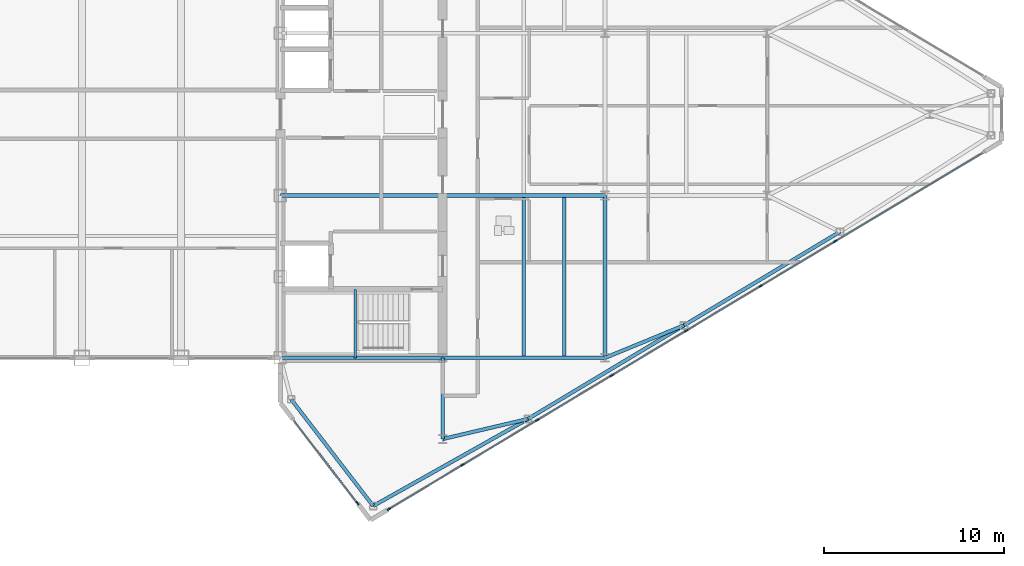
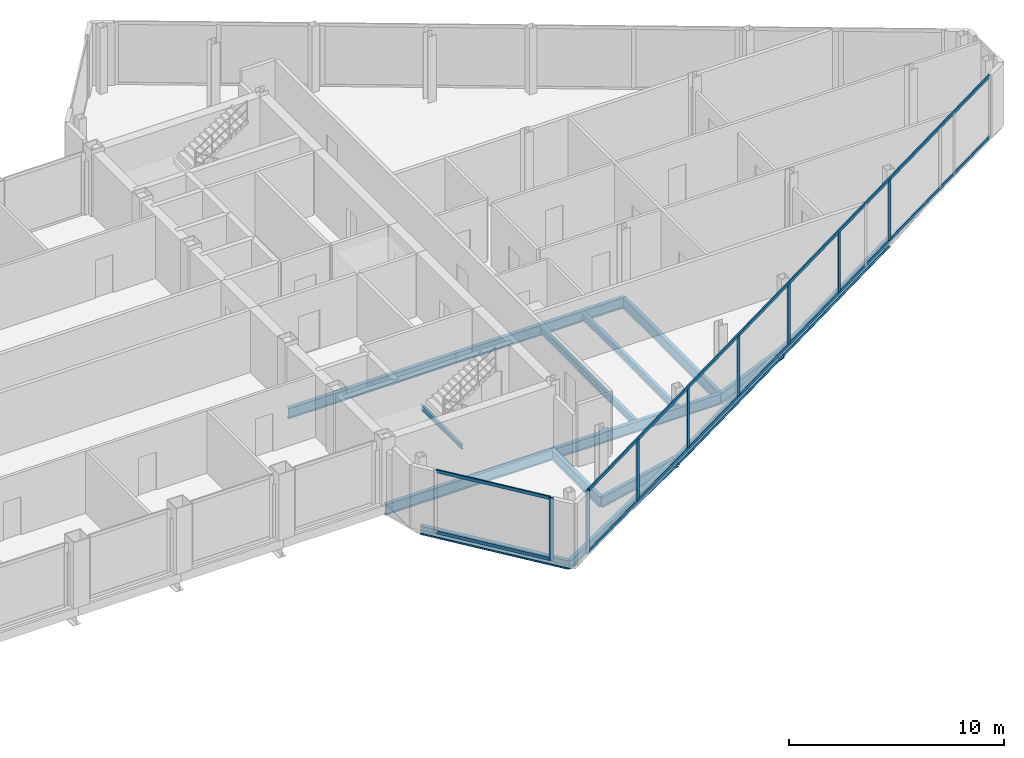
# One storey, part 14 of 29: 15 beams, 12 members, 2 elements without a shape of their own.
"""IFC4 building model written with IfcOpenShell, lengths in metres."""

from ifc_helpers import new_model, si_unit, direction, frame, origin, origin_2d, place, context, subcontext, project, spatial, rectangle, i_section, extrude, source, transform, mapped, material, layer, layer_set, material_profile, profile_set, type_object, type_shapes, element, aggregate, save


model = new_model("IFC4")

# Units and contexts
model_context = context("Model", 3, precision=1e-05, world=origin(), true_north=direction((0.0, 1.0)))
body_context = subcontext(model_context, "Body", "Model", "MODEL_VIEW")
ifc_project = project(units=[si_unit("LENGTHUNIT", "METRE"), si_unit("AREAUNIT", "SQUARE_METRE"), si_unit("VOLUMEUNIT", "CUBIC_METRE"), si_unit("PLANEANGLEUNIT", "RADIAN"), si_unit("MASSUNIT", "GRAM", prefix="KILO")], contexts=[model_context])

# Site, building, storey
site_placement = place(None, origin())
site = spatial("IfcSite", under=ifc_project, at=site_placement, CompositionType="ELEMENT")
building_placement = place(site_placement, origin())
building = spatial("IfcBuilding", under=site, at=building_placement, Name="Seokmaru Belvedere", CompositionType="ELEMENT")
storey_placement = place(building_placement, frame((0.0, 0.0, 246.89990234375)))
storey = spatial("IfcBuildingStorey", under=building, at=storey_placement, Name="L65", CompositionType="ELEMENT", Elevation=246.89990234375)

# Beams
ifc_material_1 = material(Name="Steel SM355 (355 MPa)", Category="steel")
ifc_material_profile_1 = material_profile(ifc_material_1, i_section(OverallWidth=0.199951171875, OverallDepth=0.60009765625, WebThickness=0.010986328125, FlangeThickness=0.01708984375, at=origin_2d()), Name="H-600x200x11x17")
ifc_profile_set_1 = profile_set([ifc_material_profile_1], Name="Steel SM355 (355 MPa)")
beam_type_1 = type_object("IfcBeamType", Name="Primary Floor Girder H-600", PredefinedType="BEAM", material=ifc_profile_set_1)
shared_shape_1 = source(origin(), body_context, "Body", "SweptSolid", [
    extrude(i_section(OverallWidth=0.199951171875, OverallDepth=0.60009765625, WebThickness=0.010986328125, FlangeThickness=0.01708984375, at=origin_2d()), origin(), (0.0, 0.0, 1.0), 9.0),
])
for number, where, z_axis, x_axis, name in (
    (1, (45.5, -13.5, -0.52001953125), (0.0, 1.0, 0.0), (-1.0, 0.0, 0.0), "L65 E Interior Grid Girder 1"),
    (2, (27.5, -13.5, -0.52001953125), (1.0, 0.0, 0.0), (0.0, 1.0, 0.0), "L65 E Core Tie Girder 1"),
    (3, (36.5, -13.5, -0.52001953125), (1.0, 0.0, 0.0), (0.0, 1.0, 0.0), "L65 E Wing Primary Girder 1"),
    (4, (27.5, -4.5, -0.52001953125), (1.0, 0.0, 0.0), (0.0, 1.0, 0.0), "L65 E Core Tie Girder 2"),
    (5, (36.5, -4.5, -0.52001953125), (1.0, 0.0, 0.0), (0.0, 1.0, 0.0), "L65 E Wing Primary Girder 2"),
):
    element("IfcBeam", number, at=place(storey_placement, frame(where, z_axis=z_axis, x_axis=x_axis)), inside=storey, type_object=beam_type_1, Name=name, PredefinedType="BEAM", context=body_context, shape_type="MappedRepresentation", body=[
        mapped(shared_shape_1, transform((0.0, 0.0, 0.0), scale=1.0)),
    ])
ifc_material_profile_2 = material_profile(ifc_material_1, i_section(OverallWidth=0.18505859375, OverallDepth=0.389892578125, WebThickness=0.008056640625, FlangeThickness=0.011962890625, at=origin_2d()), Name="H-390x185x8x12")
ifc_profile_set_2 = profile_set([ifc_material_profile_2], Name="Steel SM355 (355 MPa)")
beam_type_2 = type_object("IfcBeamType", Name="Secondary Floor Joist H-350", PredefinedType="JOIST", material=ifc_profile_set_2)
shared_shape_2 = source(origin(), body_context, "Body", "SweptSolid", [
    extrude(i_section(OverallWidth=0.18505859375, OverallDepth=0.389892578125, WebThickness=0.008056640625, FlangeThickness=0.011962890625, at=origin_2d()), origin(), (0.0, 0.0, 1.0), 8.7900390625),
])
type_shapes(beam_type_2, [shared_shape_2])
for number, where, z_axis, x_axis, name in (
    (6, (43.25, -13.39501953125, -0.414794921875), (0.0, 1.0, 0.0), (-1.0, 0.0, 0.0), "L65 E Wing Inner Secondary Joist 1"),
    (7, (41.0, -13.39501953125, -0.414794921875), (0.0, 1.0, 0.0), (-1.0, 0.0, 0.0), "L65 E Secondary Floor Joist 1"),
):
    element("IfcBeam", number, at=place(storey_placement, frame(where, z_axis=z_axis, x_axis=x_axis)), inside=storey, type_object=beam_type_2, Name=name, PredefinedType="JOIST", context=body_context, shape_type="MappedRepresentation", body=[
        mapped(shared_shape_2, transform((0.0, 0.0, 0.0), scale=1.0)),
    ])
shared_shape_3 = source(origin(), body_context, "Body", "SweptSolid", [
    extrude(i_section(OverallWidth=0.199951171875, OverallDepth=0.60009765625, WebThickness=0.010986328125, FlangeThickness=0.01708984375, at=origin_2d()), origin(), (0.0, 0.0, 1.0), 4.5),
])
beam_1_placement = place(storey_placement, frame((36.5, -18.0, -0.52001953125), z_axis=(0.0, 1.0, 0.0), x_axis=(-1.0, 0.0, 0.0)))
element("IfcBeam", 8, at=beam_1_placement, inside=storey, type_object=beam_type_1, Name="L65 E Core Shoulder Girder S", PredefinedType="BEAM", context=body_context, shape_type="MappedRepresentation", body=[
    mapped(shared_shape_3, transform((0.0, 0.0, 0.0), scale=1.0)),
])
ifc_material_profile_3 = material_profile(ifc_material_1, i_section(OverallWidth=0.199951171875, OverallDepth=0.5, WebThickness=0.010009765625, FlangeThickness=0.01611328125, at=origin_2d()), Name="H-500x200x10x16")
ifc_profile_set_3 = profile_set([ifc_material_profile_3], Name="Steel SM355 (355 MPa)")
beam_type_3 = type_object("IfcBeamType", Name="Perimeter Spandrel Beam H-500", PredefinedType="SPANDREL", material=ifc_profile_set_3)
shared_shape_4 = source(origin(), body_context, "Body", "SweptSolid", [
    extrude(i_section(OverallWidth=0.199951171875, OverallDepth=0.5, WebThickness=0.010009765625, FlangeThickness=0.01611328125, at=origin_2d()), origin(), (0.0, 0.0, 1.0), 9.842041015625),
])
beam_2_placement = place(storey_placement, frame((32.649658203125, -21.71044921875, -0.469970703125), z_axis=(0.871782151818, 0.489893743349, 0.0), x_axis=(-0.489893743349, 0.871782151818, 0.0)))
element("IfcBeam", 9, at=beam_2_placement, inside=storey, type_object=beam_type_3, Name="L65 E Faceted Flank Spandrel S-1", PredefinedType="SPANDREL", context=body_context, shape_type="MappedRepresentation", body=[
    mapped(shared_shape_4, transform((0.0, 0.0, 0.0), scale=1.0)),
])
shared_shape_5 = source(origin(), body_context, "Body", "SweptSolid", [
    extrude(i_section(OverallWidth=0.199951171875, OverallDepth=0.5, WebThickness=0.010009765625, FlangeThickness=0.01611328125, at=origin_2d()), origin(), (0.0, 0.0, 1.0), 10.087646484375),
])
for number, where, z_axis, x_axis, name in (
    (10, (41.229736328125, -16.888916015625, -0.469970703125), (0.857499332045, 0.514485078056, 0.0), (-0.514485078056, 0.857499332045, 0.0), "L65 E Faceted Flank Spandrel S-2"),
    (11, (49.8798828125, -11.698974609375, -0.469970703125), (0.857488654804, 0.514502873542, 0.0), (-0.514502873542, 0.857488654804, 0.0), "L65 E Faceted Flank Spandrel S-3"),
):
    element("IfcBeam", number, at=place(storey_placement, frame(where, z_axis=z_axis, x_axis=x_axis)), inside=storey, type_object=beam_type_3, Name=name, PredefinedType="SPANDREL", context=body_context, shape_type="MappedRepresentation", body=[
        mapped(shared_shape_5, transform((0.0, 0.0, 0.0), scale=1.0)),
    ])
shared_shape_6 = source(origin(), body_context, "Body", "SweptSolid", [
    extrude(i_section(OverallWidth=0.199951171875, OverallDepth=0.5, WebThickness=0.010009765625, FlangeThickness=0.01611328125, at=origin_2d()), origin(), (0.0, 0.0, 1.0), 7.4619140625),
])
type_shapes(beam_type_3, [shared_shape_4, shared_shape_5, shared_shape_6])
beam_3_placement = place(storey_placement, frame((32.649658203125, -21.71044921875, -0.469970703125), z_axis=(-0.609702854945, 0.792630070507, 0.0), x_axis=(-0.792630070507, -0.609702854945, 0.0)))
element("IfcBeam", 12, at=beam_3_placement, inside=storey, type_object=beam_type_3, Name="L65 E Shoulder Chamfer Spandrel S", PredefinedType="SPANDREL", context=body_context, shape_type="MappedRepresentation", body=[
    mapped(shared_shape_6, transform((0.0, 0.0, 0.0), scale=1.0)),
])
shared_shape_7 = source(origin(), body_context, "Body", "SweptSolid", [
    extrude(i_section(OverallWidth=0.199951171875, OverallDepth=0.60009765625, WebThickness=0.010986328125, FlangeThickness=0.01708984375, at=origin_2d()), origin(), (0.0, 0.0, 1.0), 4.8583984375),
])
beam_4_placement = place(storey_placement, frame((41.229736328125, -16.888916015625, -0.52001953125), z_axis=(-0.97349948295, -0.228689214211, 0.0), x_axis=(0.228689214211, -0.97349948295, 0.0)))
element("IfcBeam", 13, at=beam_4_placement, inside=storey, type_object=beam_type_1, Name="L65 E Flank Radial Floor Girder S-1", PredefinedType="BEAM", context=body_context, shape_type="MappedRepresentation", body=[
    mapped(shared_shape_7, transform((0.0, 0.0, 0.0), scale=1.0)),
])
shared_shape_8 = source(origin(), body_context, "Body", "SweptSolid", [
    extrude(i_section(OverallWidth=0.199951171875, OverallDepth=0.60009765625, WebThickness=0.010986328125, FlangeThickness=0.01708984375, at=origin_2d()), origin(), (0.0, 0.0, 1.0), 4.73583984375),
])
type_shapes(beam_type_1, [shared_shape_1, shared_shape_3, shared_shape_7, shared_shape_8])
beam_5_placement = place(storey_placement, frame((49.8798828125, -11.698974609375, -0.52001953125), z_axis=(-0.924860562953, -0.380306375301, 0.0), x_axis=(0.380306375301, -0.924860562953, 0.0)))
element("IfcBeam", 14, at=beam_5_placement, inside=storey, type_object=beam_type_1, Name="L65 E Flank Radial Floor Girder S-2", PredefinedType="BEAM", context=body_context, shape_type="MappedRepresentation", body=[
    mapped(shared_shape_8, transform((0.0, 0.0, 0.0), scale=1.0)),
])

# Curtain wall, members
ifc_material_2 = material(Name="Bronze Triple Insulating Glass", Category="glass")
ifc_layer = layer(ifc_material_2, 0.219970703125)
ifc_layer_set = layer_set([ifc_layer], Name="Bronze Triple Insulating Glass")
curtain_wall_type = type_object("IfcCurtainWallType", Name="Sky-Gate Bridge Panorama Curtain Wall System CW-6", PredefinedType="NOTDEFINED", material=ifc_layer_set)
curtain_wall_1_placement = place(storey_placement, origin())
curtain_wall_1 = element("IfcCurtainWall", 15, at=curtain_wall_1_placement, inside=storey, type_object=curtain_wall_type, Name="L65 Curtain Wall EF6", PredefinedType="NOTDEFINED")
ifc_material_3 = material(Name="Anodised Bronze Aluminium", Category="aluminium")
ifc_material_profile_4 = material_profile(ifc_material_3, rectangle(XDim=0.074951171875, YDim=0.179931640625, at=origin_2d()), Name="CW-T-75x180")
ifc_profile_set_4 = profile_set([ifc_material_profile_4], Name="Anodised Bronze Aluminium")
member_type_1 = type_object("IfcMemberType", Name="Bronze Unitised Transom 75x180", PredefinedType="USERDEFINED", material=ifc_profile_set_4)
shared_shape_9 = source(origin(), body_context, "Body", "SweptSolid", [
    extrude(rectangle(XDim=0.074951171875, YDim=0.179931640625, at=origin_2d()), origin(), (0.0, 0.0, 1.0), 5.74072265625),
])
member_1_placement = place(storey_placement, frame((28.25, -16.974853515625, 0.03759765625), z_axis=(0.609686097287, -0.792642960465, 0.0), x_axis=(0.792642960465, 0.609686097287, 0.0)))
member_1 = element("IfcMember", 16, at=member_1_placement, type_object=member_type_1, Name="CW:L65:EF6 Continuous Transom 1", ObjectType="TRANSOM", PredefinedType="USERDEFINED", context=body_context, shape_type="MappedRepresentation", body=[
    mapped(shared_shape_9, transform((0.0, 0.0, 0.0), scale=1.0)),
])
member_2_placement = place(storey_placement, frame((28.25, -16.974853515625, 3.49267578125), z_axis=(0.609686097287, -0.792642960465, 0.0), x_axis=(0.792642960465, 0.609686097287, 0.0)))
member_2 = element("IfcMember", 17, at=member_2_placement, type_object=member_type_1, Name="CW:L65:EF6 Continuous Transom 2", ObjectType="TRANSOM", PredefinedType="USERDEFINED", context=body_context, shape_type="MappedRepresentation", body=[
    mapped(shared_shape_9, transform((0.0, 0.0, 0.0), scale=1.0)),
])

curtain_wall_2_placement = place(storey_placement, origin())
curtain_wall_2 = element("IfcCurtainWall", 18, at=curtain_wall_2_placement, inside=storey, type_object=curtain_wall_type, Name="L65 Curtain Wall EF1", PredefinedType="NOTDEFINED")
shared_shape_10 = source(origin(), body_context, "Body", "SweptSolid", [
    extrude(rectangle(XDim=0.074951171875, YDim=0.179931640625, at=origin_2d()), origin(), (0.0, 0.0, 1.0), 38.356689453125),
])
type_shapes(member_type_1, [shared_shape_9, shared_shape_10])
member_3_placement = place(storey_placement, frame((33.5546875, -21.8671875, 0.03759765625), z_axis=(0.857492925713, 0.514495755428, 0.0), x_axis=(-0.514495755428, 0.857492925713, 0.0)))
member_3 = element("IfcMember", 19, at=member_3_placement, type_object=member_type_1, Name="CW:L65:EF1 Continuous Transom 1", ObjectType="TRANSOM", PredefinedType="USERDEFINED", context=body_context, shape_type="MappedRepresentation", body=[
    mapped(shared_shape_10, transform((0.0, 0.0, 0.0), scale=1.0)),
])
member_4_placement = place(storey_placement, frame((33.5546875, -21.8671875, 3.49267578125), z_axis=(0.857492925713, 0.514495755428, 0.0), x_axis=(-0.514495755428, 0.857492925713, 0.0)))
member_4 = element("IfcMember", 20, at=member_4_placement, type_object=member_type_1, Name="CW:L65:EF1 Continuous Transom 2", ObjectType="TRANSOM", PredefinedType="USERDEFINED", context=body_context, shape_type="MappedRepresentation", body=[
    mapped(shared_shape_10, transform((0.0, 0.0, 0.0), scale=1.0)),
])
ifc_material_profile_5 = material_profile(ifc_material_3, rectangle(XDim=0.080078125, YDim=0.219970703125, at=origin_2d()), Name="CW-M-80x220")
ifc_profile_set_5 = profile_set([ifc_material_profile_5], Name="Anodised Bronze Aluminium")
member_type_2 = type_object("IfcMemberType", Name="Bronze Unitised Mullion 80x220", PredefinedType="MULLION", material=ifc_profile_set_5)
shared_shape_11 = source(origin(), body_context, "Body", "SweptSolid", [
    extrude(rectangle(XDim=0.080078125, YDim=0.219970703125, at=origin_2d()), origin(), (0.0, 0.0, 1.0), 3.530029296875),
])
member_5_placement = place(storey_placement, frame((33.5205078125, -21.8876953125, 0.0), z_axis=(0.0, 0.0, 1.0), x_axis=(-0.514494909364, 0.85749343335, 0.0)))
member_5 = element("IfcMember", 21, at=member_5_placement, type_object=member_type_2, Name="CW:L65:EF1 Mullion 1", PredefinedType="MULLION", context=body_context, shape_type="MappedRepresentation", body=[
    mapped(shared_shape_11, transform((0.0, 0.0, 0.0), scale=1.0)),
])

# Member
member_6_placement = place(storey_placement, frame((31.7744140625, -21.556884765625, 0.0), z_axis=(0.0, 0.0, 1.0), x_axis=(0.792631353244, 0.609701187349, 0.0)))
member_6 = element("IfcMember", 22, at=member_6_placement, type_object=member_type_2, Name="CW:L65:EF6 Mullion 2", PredefinedType="MULLION", context=body_context, shape_type="MappedRepresentation", body=[
    mapped(shared_shape_11, transform((0.0, 0.0, 0.0), scale=1.0)),
])

aggregate(curtain_wall_1, [member_6, member_1, member_2])

shared_shape_12 = source(origin(), body_context, "Body", "SweptSolid", [
    extrude(rectangle(XDim=0.080078125, YDim=0.219970703125, at=origin_2d()), origin(), (0.0, 0.0, 1.0), 3.3798828125),
])
type_shapes(member_type_2, [shared_shape_11, shared_shape_12])
member_7_placement = place(storey_placement, frame((37.614501953125, -19.43115234375, 0.0751953125), z_axis=(0.0, 0.0, 1.0), x_axis=(-0.514494909364, 0.85749343335, 0.0)))
member_7 = element("IfcMember", 23, at=member_7_placement, type_object=member_type_2, Name="CW:L65:EF1 Mullion 2", PredefinedType="MULLION", context=body_context, shape_type="MappedRepresentation", body=[
    mapped(shared_shape_12, transform((0.0, 0.0, 0.0), scale=1.0)),
])

member_8_placement = place(storey_placement, frame((41.7431640625, -16.9541015625, 0.0751953125), z_axis=(0.0, 0.0, 1.0), x_axis=(-0.514494909364, 0.85749343335, 0.0)))
member_8 = element("IfcMember", 24, at=member_8_placement, type_object=member_type_2, Name="CW:L65:EF1 Mullion 3", PredefinedType="MULLION", context=body_context, shape_type="MappedRepresentation", body=[
    mapped(shared_shape_12, transform((0.0, 0.0, 0.0), scale=1.0)),
])

member_9_placement = place(storey_placement, frame((45.87158203125, -14.47705078125, 0.0751953125), z_axis=(0.0, 0.0, 1.0), x_axis=(-0.514494909364, 0.85749343335, 0.0)))
member_9 = element("IfcMember", 25, at=member_9_placement, type_object=member_type_2, Name="CW:L65:EF1 Mullion 4", PredefinedType="MULLION", context=body_context, shape_type="MappedRepresentation", body=[
    mapped(shared_shape_12, transform((0.0, 0.0, 0.0), scale=1.0)),
])

member_10_placement = place(storey_placement, frame((50.0, -12.0, 0.0751953125), z_axis=(0.0, 0.0, 1.0), x_axis=(-0.514494909364, 0.85749343335, 0.0)))
member_10 = element("IfcMember", 26, at=member_10_placement, type_object=member_type_2, Name="CW:L65:EF1 Mullion 5", PredefinedType="MULLION", context=body_context, shape_type="MappedRepresentation", body=[
    mapped(shared_shape_12, transform((0.0, 0.0, 0.0), scale=1.0)),
])

member_11_placement = place(storey_placement, frame((54.12841796875, -9.52294921875, 0.0751953125), z_axis=(0.0, 0.0, 1.0), x_axis=(-0.514494909364, 0.85749343335, 0.0)))
member_11 = element("IfcMember", 27, at=member_11_placement, type_object=member_type_2, Name="CW:L65:EF1 Mullion 6", PredefinedType="MULLION", context=body_context, shape_type="MappedRepresentation", body=[
    mapped(shared_shape_12, transform((0.0, 0.0, 0.0), scale=1.0)),
])

member_12_placement = place(storey_placement, frame((58.257080078125, -7.0458984375, 0.0751953125), z_axis=(0.0, 0.0, 1.0), x_axis=(-0.514494909364, 0.85749343335, 0.0)))
member_12 = element("IfcMember", 28, at=member_12_placement, type_object=member_type_2, Name="CW:L65:EF1 Mullion 7", PredefinedType="MULLION", context=body_context, shape_type="MappedRepresentation", body=[
    mapped(shared_shape_12, transform((0.0, 0.0, 0.0), scale=1.0)),
])

aggregate(curtain_wall_2, [member_5, member_7, member_8, member_9, member_10, member_11, member_12, member_3, member_4])

# Beam
ifc_material_profile_6 = material_profile(ifc_material_1, i_section(OverallWidth=0.125, OverallDepth=0.25, WebThickness=0.006103515625, FlangeThickness=0.009033203125, at=origin_2d()), Name="H-250x125x6x9")
ifc_profile_set_6 = profile_set([ifc_material_profile_6], Name="Steel SM355 (355 MPa)")
beam_type_4 = type_object("IfcBeamType", Name="Stair Mid-Landing Support Beam H-250", PredefinedType="JOIST", material=ifc_profile_set_6)
shared_shape_13 = source(origin(), body_context, "Body", "SweptSolid", [
    extrude(i_section(OverallWidth=0.125, OverallDepth=0.25, WebThickness=0.006103515625, FlangeThickness=0.009033203125, at=origin_2d()), origin(), (0.0, 0.0, 1.0), 3.800048828125),
])
type_shapes(beam_type_4, [shared_shape_13])
beam_6_placement = place(storey_placement, frame((31.64990234375, -13.5, 1.550048828125), z_axis=(0.0, 1.0, 0.0), x_axis=(-1.0, 0.0, 0.0)))
element("IfcBeam", 29, at=beam_6_placement, inside=storey, type_object=beam_type_4, Name="L65 Stair ST-E1 Mid-Landing Support Beam 1", PredefinedType="JOIST", context=body_context, shape_type="MappedRepresentation", body=[
    mapped(shared_shape_13, transform((0.0, 0.0, 0.0), scale=1.0)),
])

save(model, "model.ifc")
